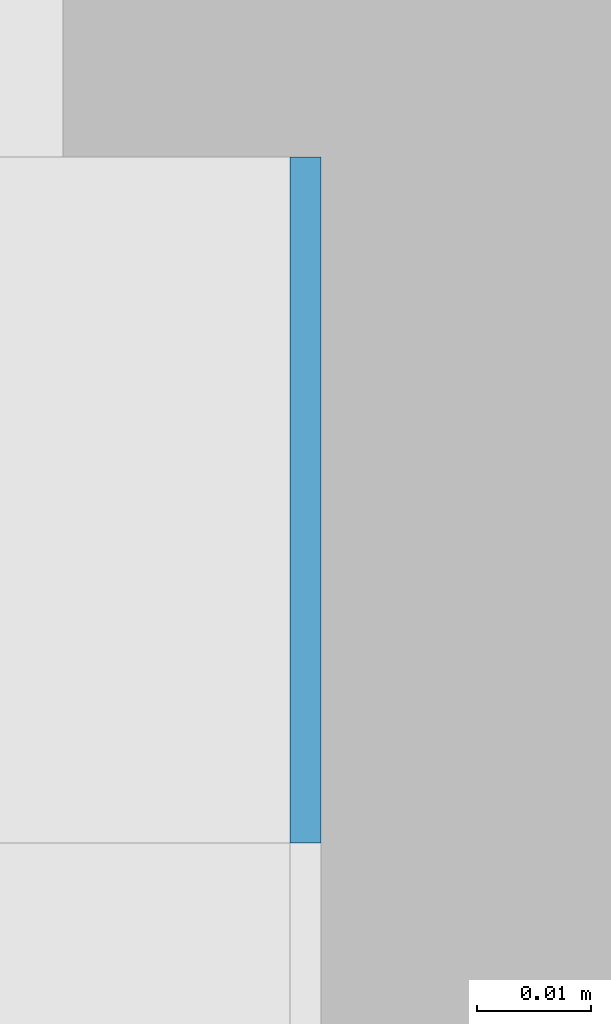
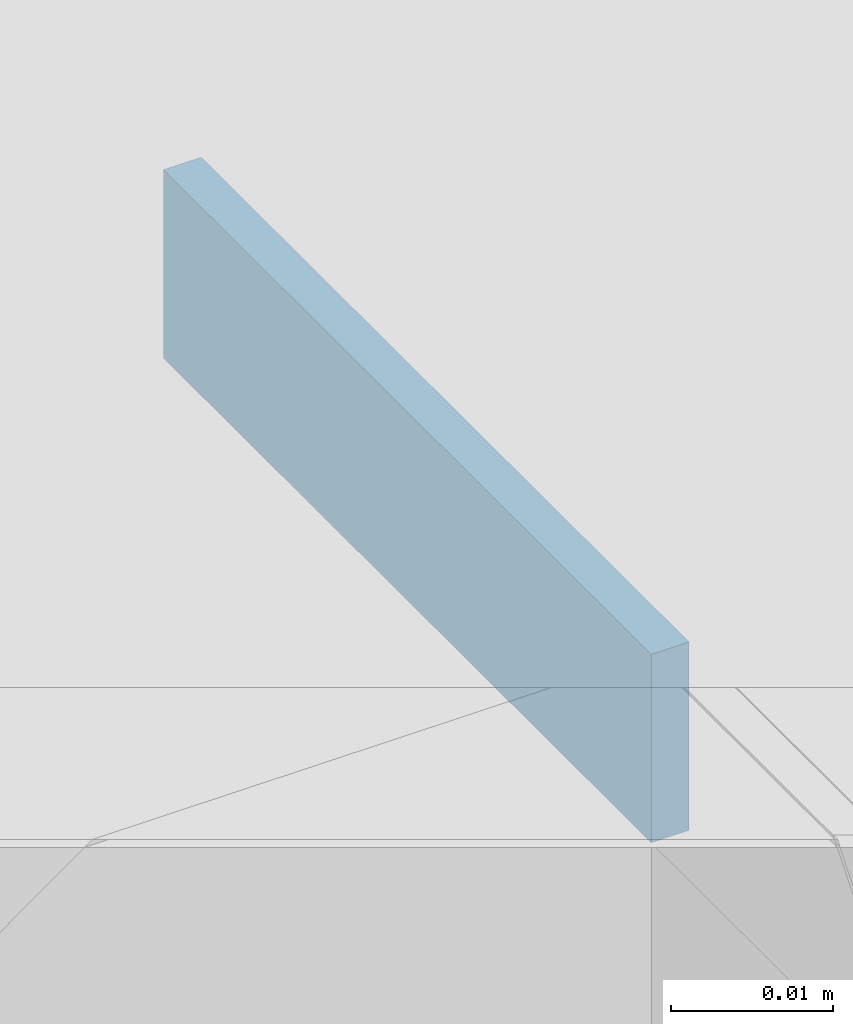
# One storey, part 413 of 646: 1 discrete accessory.
"""IFC4 building model written with IfcOpenShell, lengths in metres."""

from ifc_helpers import new_model, si_unit, direction, frame, origin, origin_2d, place, context, subcontext, project, spatial, rectangle, extrude, material, type_object, element, save


model = new_model("IFC4")

# Units and contexts
model_context = context("Model", 3, precision=1e-05, world=origin(), true_north=direction((0.0, 1.0)))
body_context = subcontext(model_context, "Body", "Model", "MODEL_VIEW")
ifc_project = project(units=[si_unit("LENGTHUNIT", "METRE"), si_unit("AREAUNIT", "SQUARE_METRE"), si_unit("VOLUMEUNIT", "CUBIC_METRE"), si_unit("PLANEANGLEUNIT", "RADIAN"), si_unit("MASSUNIT", "GRAM", prefix="KILO")], contexts=[model_context])

# Site, building, storey
site_placement = place(None, origin())
site = spatial("IfcSite", under=ifc_project, at=site_placement, CompositionType="ELEMENT")
building_placement = place(site_placement, origin())
building = spatial("IfcBuilding", under=site, at=building_placement, Name="Silverbay Arena", CompositionType="ELEMENT")
storey_placement = place(building_placement, frame((0.0, 0.0, 33.5)))
storey = spatial("IfcBuildingStorey", under=building, at=storey_placement, Name="L05", CompositionType="ELEMENT", Elevation=33.5)

# Discrete accessory
ifc_material = material(Name="Steel S355", Category="steel")
discrete_accessory_type = type_object("IfcDiscreteAccessoryType", Name="Steel bracket plate", PredefinedType="BRACKET", material=ifc_material)
discrete_accessory_placement = place(storey_placement, frame((53.871337890625, 126.030029296875, 12.98583984375), z_axis=(0.0, 0.0, 1.0), x_axis=(1.0, 0.0, 0.0)))
element("IfcDiscreteAccessory", 1, at=discrete_accessory_placement, inside=storey, type_object=discrete_accessory_type, Name="Curtain wall packing plate", PredefinedType="BRACKET", context=body_context, shape_type="SweptSolid", body=[
    extrude(rectangle(XDim=0.002685546875, YDim=0.06005859375, at=origin_2d()), origin(), (0.0, 0.0, 1.0), 0.01416015625),
])

save(model, "model.ifc")
